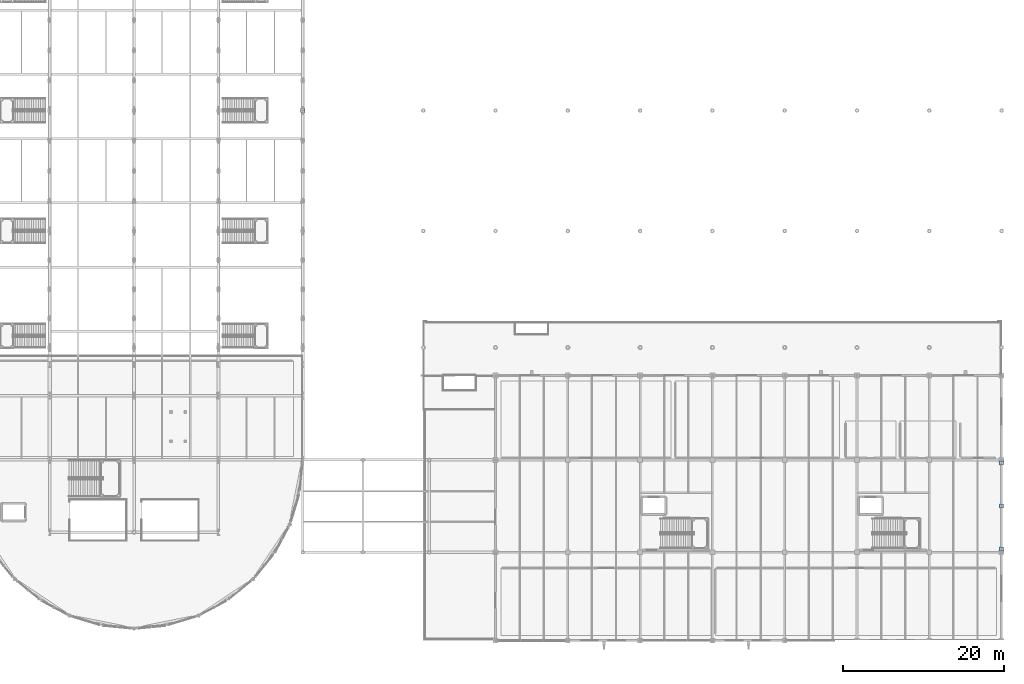
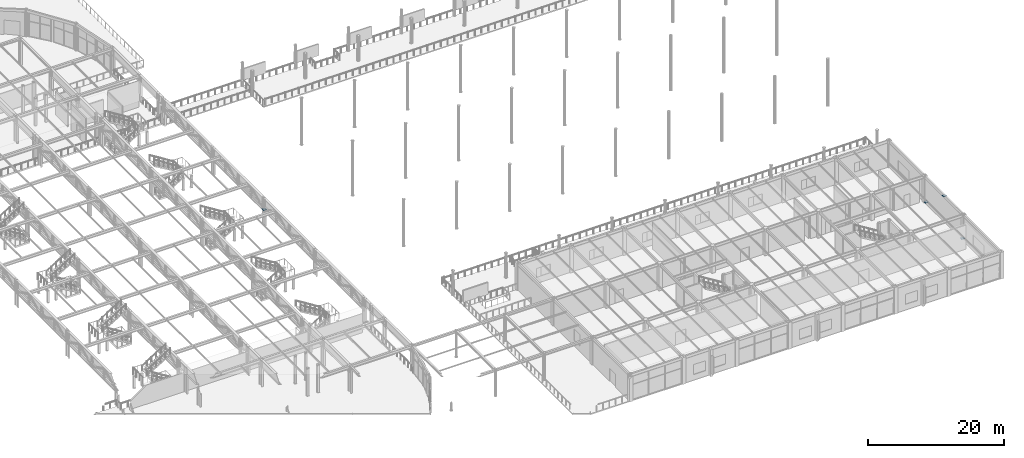
# One storey, part 81 of 143: 4 plates.
"""IFC4 building model written with IfcOpenShell, lengths in metres."""

from ifc_helpers import new_model, si_unit, direction, frame, origin, origin_2d, place, context, subcontext, project, spatial, rectangle, extrude, material, layer, layer_set, type_object, element, save


model = new_model("IFC4")

# Units and contexts
model_context = context("Model", 3, precision=1e-05, world=origin(), true_north=direction((0.0, 1.0)))
body_context = subcontext(model_context, "Body", "Model", "MODEL_VIEW")
ifc_project = project(units=[si_unit("LENGTHUNIT", "METRE"), si_unit("AREAUNIT", "SQUARE_METRE"), si_unit("VOLUMEUNIT", "CUBIC_METRE"), si_unit("PLANEANGLEUNIT", "RADIAN"), si_unit("MASSUNIT", "GRAM", prefix="KILO")], contexts=[model_context])

# Site, building, storey
site_placement = place(None, origin())
site = spatial("IfcSite", under=ifc_project, at=site_placement, CompositionType="ELEMENT")
building_placement = place(site_placement, origin())
building = spatial("IfcBuilding", under=site, at=building_placement, Name="Marlcrest Central Station", CompositionType="ELEMENT")
storey_placement = place(building_placement, frame((0.0, 0.0, 4.800048828125)))
storey = spatial("IfcBuildingStorey", under=building, at=storey_placement, Name="L01", CompositionType="ELEMENT", Elevation=4.800048828125)

# Plates
ifc_material = material(Name="Steel S355", Category="steel")
ifc_layer = layer(ifc_material, 0.02001953125, Name="GP-03")
ifc_layer_set = layer_set([ifc_layer], Name="Steel S355")
plate_type = type_object("IfcPlateType", Name="GP-03", PredefinedType="USERDEFINED", material=ifc_layer_set)
for number, where, z_axis, x_axis, name in (
    (1, (216.0, 11.39990234375, 0.18994140625), (0.0, 0.0, 1.0), (1.0, 0.0, 0.0), "plt-cap-00062"),
    (2, (216.0, 16.75, 4.60498046875), (0.0, 0.0, 1.0), (1.0, 0.0, 0.0), "plt-cap-00063"),
    (3, (216.0, 22.10009765625, 0.18994140625), (0.0, 0.0, 1.0), (1.0, 0.0, 0.0), "plt-cap-00064"),
    (4, (129.0, 66.0, 2.73486328125), (0.0, 0.0, 1.0), (1.0, 0.0, 0.0), "plt-cap-01196"),
):
    element("IfcPlate", number, at=place(storey_placement, frame(where, z_axis=z_axis, x_axis=x_axis)), inside=storey, type_object=plate_type, Name=name, ObjectType="GUSSET_PLATE", PredefinedType="USERDEFINED", context=body_context, shape_type="SweptSolid", body=[
        extrude(rectangle(XDim=0.5, YDim=0.5, at=origin_2d()), origin(), (0.0, 0.0, 1.0), 0.02001953125),
    ])

save(model, "model.ifc")
